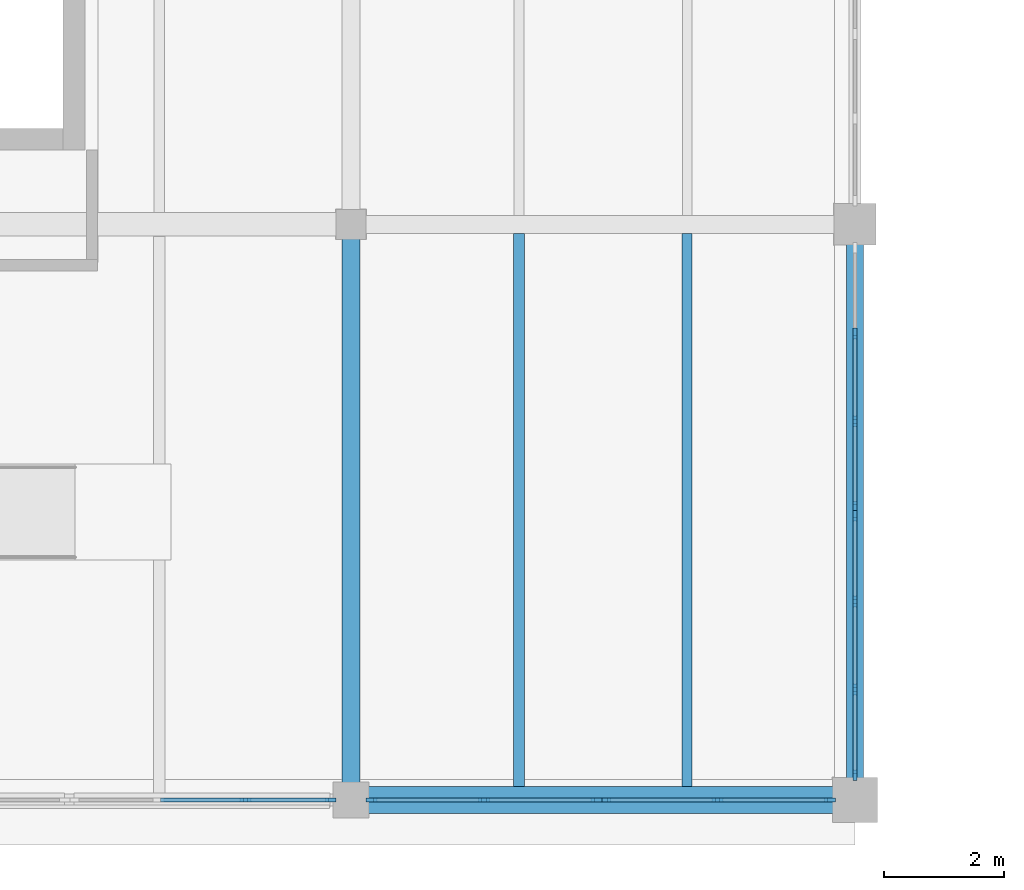
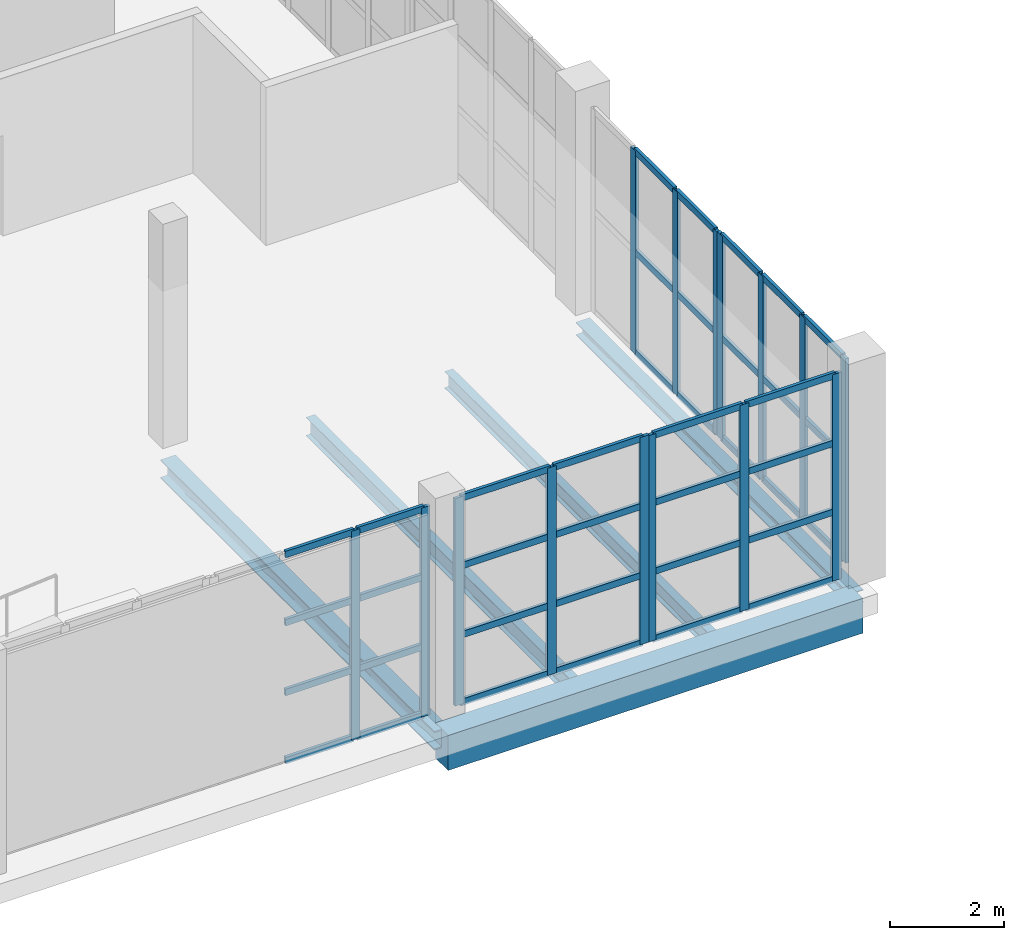
# One storey, part 8 of 121: 54 members, 5 beams, 5 elements without a shape of their own.
"""IFC4 building model written with IfcOpenShell, lengths in metres."""

from ifc_helpers import new_model, si_unit, direction, frame, origin, origin_2d, place, context, subcontext, project, spatial, rectangle, i_section, extrude, material, layer, layer_set, material_profile, profile_set, type_object, element, aggregate, save


model = new_model("IFC4")

# Units and contexts
model_context = context("Model", 3, precision=1e-05, world=origin(), true_north=direction((0.0, 1.0)))
body_context = subcontext(model_context, "Body", "Model", "MODEL_VIEW")
ifc_project = project(units=[si_unit("LENGTHUNIT", "METRE"), si_unit("AREAUNIT", "SQUARE_METRE"), si_unit("VOLUMEUNIT", "CUBIC_METRE"), si_unit("PLANEANGLEUNIT", "RADIAN"), si_unit("MASSUNIT", "GRAM", prefix="KILO")], contexts=[model_context])

# Site, building, storey
site_placement = place(None, origin())
site = spatial("IfcSite", under=ifc_project, at=site_placement, CompositionType="ELEMENT")
building_placement = place(site_placement, origin())
building = spatial("IfcBuilding", under=site, at=building_placement, Name="Zereglee Splitstone Museum", CompositionType="ELEMENT")
storey_placement = place(building_placement, origin())
storey = spatial("IfcBuildingStorey", under=building, at=storey_placement, Name="L00", CompositionType="ELEMENT", Elevation=0.0)

# Curtain wall, members
ifc_material_1 = material(Name="Triple-glazed low-E argon glass and bronze-anodised aluminium", Category="aluminium")
ifc_layer_1 = layer(ifc_material_1, 0.179931640625)
ifc_layer_set_1 = layer_set([ifc_layer_1], Name="Triple-glazed low-E argon glass and bronze-anodised aluminium")
curtain_wall_type_1 = type_object("IfcCurtainWallType", Name="CW-0435-448", PredefinedType="USERDEFINED", material=ifc_layer_set_1)
curtain_wall_1_placement = place(storey_placement, origin())
curtain_wall_1 = element("IfcCurtainWall", 1, at=curtain_wall_1_placement, inside=storey, type_object=curtain_wall_type_1, Name="Glazed Curtain Wall CW-0435-448 (L00)", ObjectType="GLAZED CURTAIN WALL", PredefinedType="USERDEFINED")
ifc_material_2 = material(Name="Thermally broken bronze-anodised aluminium", Category="aluminium")
ifc_material_profile_1 = material_profile(ifc_material_2, rectangle(XDim=0.06494140625, YDim=0.179931640625, at=origin_2d()), Name="CW MULL 65x180")
ifc_profile_set_1 = profile_set([ifc_material_profile_1], Name="Thermally broken bronze-anodised aluminium")
member_type_1 = type_object("IfcMemberType", Name="CWM-01", PredefinedType="MULLION", material=ifc_profile_set_1)
member_1_placement = place(storey_placement, frame((37.84130859375, 0.0, 0.0), z_axis=(0.0, 0.0, 1.0), x_axis=(0.0, 1.0, 0.0)))
member_1 = element("IfcMember", 2, at=member_1_placement, type_object=member_type_1, Name="CW-0435-448 mullion 3", PredefinedType="MULLION", context=body_context, shape_type="SweptSolid", body=[
    extrude(rectangle(XDim=0.06494140625, YDim=0.179931640625, at=origin_2d()), origin(), (0.0, 0.0, 1.0), 4.47998046875),
])
member_2_placement = place(storey_placement, frame((39.259521484375, 0.0, 0.0), z_axis=(0.0, 0.0, 1.0), x_axis=(0.0, 1.0, 0.0)))
member_2 = element("IfcMember", 3, at=member_2_placement, type_object=member_type_1, Name="CW-0435-448 mullion 4", PredefinedType="MULLION", context=body_context, shape_type="SweptSolid", body=[
    extrude(rectangle(XDim=0.06494140625, YDim=0.179931640625, at=origin_2d()), origin(), (0.0, 0.0, 1.0), 4.47998046875),
])

ifc_layer_2 = layer(ifc_material_1, 0.179931640625)
ifc_layer_set_2 = layer_set([ifc_layer_2], Name="Triple-glazed low-E argon glass and bronze-anodised aluminium")
curtain_wall_type_2 = type_object("IfcCurtainWallType", Name="CW-0381-444", PredefinedType="USERDEFINED", material=ifc_layer_set_2)
curtain_wall_2_placement = place(storey_placement, origin())
curtain_wall_2 = element("IfcCurtainWall", 4, at=curtain_wall_2_placement, inside=storey, type_object=curtain_wall_type_2, Name="Glazed Curtain Wall CW-0381-444 (L00)", ObjectType="GLAZED CURTAIN WALL", PredefinedType="USERDEFINED")
member_3_placement = place(storey_placement, frame((39.9404296875, 0.0, 0.0), z_axis=(0.0, 0.0, 1.0), x_axis=(0.0, 1.0, 0.0)))
member_3 = element("IfcMember", 5, at=member_3_placement, type_object=member_type_1, Name="CW-0381-444 mullion 1", PredefinedType="MULLION", context=body_context, shape_type="SweptSolid", body=[
    extrude(rectangle(XDim=0.06494140625, YDim=0.179931640625, at=origin_2d()), origin(), (0.0, 0.0, 1.0), 4.43994140625),
])
member_4_placement = place(storey_placement, frame((41.815185546875, 0.0, 0.0), z_axis=(0.0, 0.0, 1.0), x_axis=(0.0, 1.0, 0.0)))
member_4 = element("IfcMember", 6, at=member_4_placement, type_object=member_type_1, Name="CW-0381-444 mullion 2", PredefinedType="MULLION", context=body_context, shape_type="SweptSolid", body=[
    extrude(rectangle(XDim=0.06494140625, YDim=0.179931640625, at=origin_2d()), origin(), (0.0, 0.0, 1.0), 4.43994140625),
])
member_5_placement = place(storey_placement, frame((43.68994140625, 0.0, 0.0), z_axis=(0.0, 0.0, 1.0), x_axis=(0.0, 1.0, 0.0)))
member_5 = element("IfcMember", 7, at=member_5_placement, type_object=member_type_1, Name="CW-0381-444 mullion 3", PredefinedType="MULLION", context=body_context, shape_type="SweptSolid", body=[
    extrude(rectangle(XDim=0.06494140625, YDim=0.179931640625, at=origin_2d()), origin(), (0.0, 0.0, 1.0), 4.43994140625),
])

ifc_layer_3 = layer(ifc_material_1, 0.179931640625)
ifc_layer_set_3 = layer_set([ifc_layer_3], Name="Triple-glazed low-E argon glass and bronze-anodised aluminium")
curtain_wall_type_3 = type_object("IfcCurtainWallType", Name="CW-0381-442", PredefinedType="USERDEFINED", material=ifc_layer_set_3)
curtain_wall_3_placement = place(storey_placement, origin())
curtain_wall_3 = element("IfcCurtainWall", 8, at=curtain_wall_3_placement, inside=storey, type_object=curtain_wall_type_3, Name="Glazed Curtain Wall CW-0381-442 (L00)", ObjectType="GLAZED CURTAIN WALL", PredefinedType="USERDEFINED")
member_6_placement = place(storey_placement, frame((43.8349609375, 0.0, 0.0), z_axis=(0.0, 0.0, 1.0), x_axis=(0.0, 1.0, 0.0)))
member_6 = element("IfcMember", 9, at=member_6_placement, type_object=member_type_1, Name="CW-0381-442 mullion 1", PredefinedType="MULLION", context=body_context, shape_type="SweptSolid", body=[
    extrude(rectangle(XDim=0.06494140625, YDim=0.179931640625, at=origin_2d()), origin(), (0.0, 0.0, 1.0), 4.419921875),
])
member_7_placement = place(storey_placement, frame((45.709716796875, 0.0, 0.0), z_axis=(0.0, 0.0, 1.0), x_axis=(0.0, 1.0, 0.0)))
member_7 = element("IfcMember", 10, at=member_7_placement, type_object=member_type_1, Name="CW-0381-442 mullion 2", PredefinedType="MULLION", context=body_context, shape_type="SweptSolid", body=[
    extrude(rectangle(XDim=0.06494140625, YDim=0.179931640625, at=origin_2d()), origin(), (0.0, 0.0, 1.0), 4.419921875),
])
member_8_placement = place(storey_placement, frame((47.58447265625, 0.0, 0.0), z_axis=(0.0, 0.0, 1.0), x_axis=(0.0, 1.0, 0.0)))
member_8 = element("IfcMember", 11, at=member_8_placement, type_object=member_type_1, Name="CW-0381-442 mullion 3", PredefinedType="MULLION", context=body_context, shape_type="SweptSolid", body=[
    extrude(rectangle(XDim=0.06494140625, YDim=0.179931640625, at=origin_2d()), origin(), (0.0, 0.0, 1.0), 4.419921875),
])

ifc_layer_4 = layer(ifc_material_1, 0.179931640625)
ifc_layer_set_4 = layer_set([ifc_layer_4], Name="Triple-glazed low-E argon glass and bronze-anodised aluminium")
curtain_wall_type_4 = type_object("IfcCurtainWallType", Name="CW-0439-438", PredefinedType="USERDEFINED", material=ifc_layer_set_4)
curtain_wall_4_placement = place(storey_placement, origin())
curtain_wall_4 = element("IfcCurtainWall", 12, at=curtain_wall_4_placement, inside=storey, type_object=curtain_wall_type_4, Name="Glazed Curtain Wall CW-0439-438 (L00)", ObjectType="GLAZED CURTAIN WALL", PredefinedType="USERDEFINED")
member_9_placement = place(storey_placement, frame((48.0, 0.41552734375, 0.0), z_axis=(0.0, 0.0, 1.0), x_axis=(-1.0, 0.0, 0.0)))
member_9 = element("IfcMember", 13, at=member_9_placement, type_object=member_type_1, Name="CW-0439-438 mullion 1", PredefinedType="MULLION", context=body_context, shape_type="SweptSolid", body=[
    extrude(rectangle(XDim=0.06494140625, YDim=0.179931640625, at=origin_2d()), origin(), (0.0, 0.0, 1.0), 4.3798828125),
])
member_10_placement = place(storey_placement, frame((48.0, 1.84619140625, 0.0), z_axis=(0.0, 0.0, 1.0), x_axis=(-1.0, 0.0, 0.0)))
member_10 = element("IfcMember", 14, at=member_10_placement, type_object=member_type_1, Name="CW-0439-438 mullion 2", PredefinedType="MULLION", context=body_context, shape_type="SweptSolid", body=[
    extrude(rectangle(XDim=0.06494140625, YDim=0.179931640625, at=origin_2d()), origin(), (0.0, 0.0, 1.0), 4.3798828125),
])
member_11_placement = place(storey_placement, frame((48.0, 3.309326171875, 0.0), z_axis=(0.0, 0.0, 1.0), x_axis=(-1.0, 0.0, 0.0)))
member_11 = element("IfcMember", 15, at=member_11_placement, type_object=member_type_1, Name="CW-0439-438 mullion 3", PredefinedType="MULLION", context=body_context, shape_type="SweptSolid", body=[
    extrude(rectangle(XDim=0.06494140625, YDim=0.179931640625, at=origin_2d()), origin(), (0.0, 0.0, 1.0), 4.3798828125),
])
member_12_placement = place(storey_placement, frame((48.0, 4.739990234375, 0.0), z_axis=(0.0, 0.0, 1.0), x_axis=(-1.0, 0.0, 0.0)))
member_12 = element("IfcMember", 16, at=member_12_placement, type_object=member_type_1, Name="CW-0439-438 mullion 4", PredefinedType="MULLION", context=body_context, shape_type="SweptSolid", body=[
    extrude(rectangle(XDim=0.06494140625, YDim=0.179931640625, at=origin_2d()), origin(), (0.0, 0.0, 1.0), 4.3798828125),
])

ifc_layer_5 = layer(ifc_material_1, 0.179931640625)
ifc_layer_set_5 = layer_set([ifc_layer_5], Name="Triple-glazed low-E argon glass and bronze-anodised aluminium")
curtain_wall_type_5 = type_object("IfcCurtainWallType", Name="CW-0439-436", PredefinedType="USERDEFINED", material=ifc_layer_set_5)
curtain_wall_5_placement = place(storey_placement, origin())
curtain_wall_5 = element("IfcCurtainWall", 17, at=curtain_wall_5_placement, inside=storey, type_object=curtain_wall_type_5, Name="Glazed Curtain Wall CW-0439-436 (L00)", ObjectType="GLAZED CURTAIN WALL", PredefinedType="USERDEFINED")
member_13_placement = place(storey_placement, frame((48.0, 4.885009765625, 0.0), z_axis=(0.0, 0.0, 1.0), x_axis=(-1.0, 0.0, 0.0)))
member_13 = element("IfcMember", 18, at=member_13_placement, type_object=member_type_1, Name="CW-0439-436 mullion 1", PredefinedType="MULLION", context=body_context, shape_type="SweptSolid", body=[
    extrude(rectangle(XDim=0.06494140625, YDim=0.179931640625, at=origin_2d()), origin(), (0.0, 0.0, 1.0), 4.360107421875),
])
member_14_placement = place(storey_placement, frame((48.0, 6.315673828125, 0.0), z_axis=(0.0, 0.0, 1.0), x_axis=(-1.0, 0.0, 0.0)))
member_14 = element("IfcMember", 19, at=member_14_placement, type_object=member_type_1, Name="CW-0439-436 mullion 2", PredefinedType="MULLION", context=body_context, shape_type="SweptSolid", body=[
    extrude(rectangle(XDim=0.06494140625, YDim=0.179931640625, at=origin_2d()), origin(), (0.0, 0.0, 1.0), 4.360107421875),
])
member_15_placement = place(storey_placement, frame((48.0, 7.77880859375, 0.0), z_axis=(0.0, 0.0, 1.0), x_axis=(-1.0, 0.0, 0.0)))
member_15 = element("IfcMember", 20, at=member_15_placement, type_object=member_type_1, Name="CW-0439-436 mullion 3", PredefinedType="MULLION", context=body_context, shape_type="SweptSolid", body=[
    extrude(rectangle(XDim=0.06494140625, YDim=0.179931640625, at=origin_2d()), origin(), (0.0, 0.0, 1.0), 4.360107421875),
])

# Member
ifc_material_profile_2 = material_profile(ifc_material_2, rectangle(XDim=0.06494140625, YDim=0.139892578125, at=origin_2d()), Name="CW TRAN 65x140")
ifc_profile_set_2 = profile_set([ifc_material_profile_2], Name="Thermally broken bronze-anodised aluminium")
member_type_2 = type_object("IfcMemberType", Name="CWT-01", PredefinedType="USERDEFINED", material=ifc_profile_set_2)
member_16_placement = place(storey_placement, frame((36.423095703125, 0.0, 0.032470703125), z_axis=(1.0, 0.0, 0.0), x_axis=(0.0, 1.0, 0.0)))
member_16 = element("IfcMember", 21, at=member_16_placement, type_object=member_type_2, Name="CW-0435-448 transom 2.1", ObjectType="TRANSOM", PredefinedType="USERDEFINED", context=body_context, shape_type="SweptSolid", body=[
    extrude(rectangle(XDim=0.06494140625, YDim=0.139892578125, at=origin_2d()), origin(), (0.0, 0.0, 1.0), 1.3857421875),
])

member_17_placement = place(storey_placement, frame((36.423095703125, 0.0, 1.493408203125), z_axis=(1.0, 0.0, 0.0), x_axis=(0.0, 1.0, 0.0)))
member_17 = element("IfcMember", 22, at=member_17_placement, type_object=member_type_2, Name="CW-0435-448 transom 2.2", ObjectType="TRANSOM", PredefinedType="USERDEFINED", context=body_context, shape_type="SweptSolid", body=[
    extrude(rectangle(XDim=0.06494140625, YDim=0.139892578125, at=origin_2d()), origin(), (0.0, 0.0, 1.0), 1.3857421875),
])

member_18_placement = place(storey_placement, frame((36.423095703125, 0.0, 2.98681640625), z_axis=(1.0, 0.0, 0.0), x_axis=(0.0, 1.0, 0.0)))
member_18 = element("IfcMember", 23, at=member_18_placement, type_object=member_type_2, Name="CW-0435-448 transom 2.3", ObjectType="TRANSOM", PredefinedType="USERDEFINED", context=body_context, shape_type="SweptSolid", body=[
    extrude(rectangle(XDim=0.06494140625, YDim=0.139892578125, at=origin_2d()), origin(), (0.0, 0.0, 1.0), 1.3857421875),
])

member_19_placement = place(storey_placement, frame((36.423095703125, 0.0, 4.447509765625), z_axis=(1.0, 0.0, 0.0), x_axis=(0.0, 1.0, 0.0)))
member_19 = element("IfcMember", 24, at=member_19_placement, type_object=member_type_2, Name="CW-0435-448 transom 2.4", ObjectType="TRANSOM", PredefinedType="USERDEFINED", context=body_context, shape_type="SweptSolid", body=[
    extrude(rectangle(XDim=0.06494140625, YDim=0.139892578125, at=origin_2d()), origin(), (0.0, 0.0, 1.0), 1.3857421875),
])

member_20_placement = place(storey_placement, frame((37.873779296875, 0.0, 0.032470703125), z_axis=(1.0, 0.0, 0.0), x_axis=(0.0, 1.0, 0.0)))
member_20 = element("IfcMember", 25, at=member_20_placement, type_object=member_type_2, Name="CW-0435-448 transom 3.1", ObjectType="TRANSOM", PredefinedType="USERDEFINED", context=body_context, shape_type="SweptSolid", body=[
    extrude(rectangle(XDim=0.06494140625, YDim=0.139892578125, at=origin_2d()), origin(), (0.0, 0.0, 1.0), 1.353271484375),
])

member_21_placement = place(storey_placement, frame((37.873779296875, 0.0, 1.493408203125), z_axis=(1.0, 0.0, 0.0), x_axis=(0.0, 1.0, 0.0)))
member_21 = element("IfcMember", 26, at=member_21_placement, type_object=member_type_2, Name="CW-0435-448 transom 3.2", ObjectType="TRANSOM", PredefinedType="USERDEFINED", context=body_context, shape_type="SweptSolid", body=[
    extrude(rectangle(XDim=0.06494140625, YDim=0.139892578125, at=origin_2d()), origin(), (0.0, 0.0, 1.0), 1.353271484375),
])

member_22_placement = place(storey_placement, frame((37.873779296875, 0.0, 2.98681640625), z_axis=(1.0, 0.0, 0.0), x_axis=(0.0, 1.0, 0.0)))
member_22 = element("IfcMember", 27, at=member_22_placement, type_object=member_type_2, Name="CW-0435-448 transom 3.3", ObjectType="TRANSOM", PredefinedType="USERDEFINED", context=body_context, shape_type="SweptSolid", body=[
    extrude(rectangle(XDim=0.06494140625, YDim=0.139892578125, at=origin_2d()), origin(), (0.0, 0.0, 1.0), 1.353271484375),
])

member_23_placement = place(storey_placement, frame((37.873779296875, 0.0, 4.447509765625), z_axis=(1.0, 0.0, 0.0), x_axis=(0.0, 1.0, 0.0)))
member_23 = element("IfcMember", 28, at=member_23_placement, type_object=member_type_2, Name="CW-0435-448 transom 3.4", ObjectType="TRANSOM", PredefinedType="USERDEFINED", context=body_context, shape_type="SweptSolid", body=[
    extrude(rectangle(XDim=0.06494140625, YDim=0.139892578125, at=origin_2d()), origin(), (0.0, 0.0, 1.0), 1.353271484375),
])

aggregate(curtain_wall_1, [member_1, member_2, member_16, member_17, member_18, member_19, member_20, member_21, member_22, member_23])

member_24_placement = place(storey_placement, frame((39.972900390625, 0.0, 0.032470703125), z_axis=(1.0, 0.0, 0.0), x_axis=(0.0, 1.0, 0.0)))
member_24 = element("IfcMember", 29, at=member_24_placement, type_object=member_type_2, Name="CW-0381-444 transom 1.1", ObjectType="TRANSOM", PredefinedType="USERDEFINED", context=body_context, shape_type="SweptSolid", body=[
    extrude(rectangle(XDim=0.06494140625, YDim=0.139892578125, at=origin_2d()), origin(), (0.0, 0.0, 1.0), 1.809814453125),
])

member_25_placement = place(storey_placement, frame((39.972900390625, 0.0, 1.47998046875), z_axis=(1.0, 0.0, 0.0), x_axis=(0.0, 1.0, 0.0)))
member_25 = element("IfcMember", 30, at=member_25_placement, type_object=member_type_2, Name="CW-0381-444 transom 1.2", ObjectType="TRANSOM", PredefinedType="USERDEFINED", context=body_context, shape_type="SweptSolid", body=[
    extrude(rectangle(XDim=0.06494140625, YDim=0.139892578125, at=origin_2d()), origin(), (0.0, 0.0, 1.0), 1.809814453125),
])

member_26_placement = place(storey_placement, frame((39.972900390625, 0.0, 2.9599609375), z_axis=(1.0, 0.0, 0.0), x_axis=(0.0, 1.0, 0.0)))
member_26 = element("IfcMember", 31, at=member_26_placement, type_object=member_type_2, Name="CW-0381-444 transom 1.3", ObjectType="TRANSOM", PredefinedType="USERDEFINED", context=body_context, shape_type="SweptSolid", body=[
    extrude(rectangle(XDim=0.06494140625, YDim=0.139892578125, at=origin_2d()), origin(), (0.0, 0.0, 1.0), 1.809814453125),
])

member_27_placement = place(storey_placement, frame((39.972900390625, 0.0, 4.407470703125), z_axis=(1.0, 0.0, 0.0), x_axis=(0.0, 1.0, 0.0)))
member_27 = element("IfcMember", 32, at=member_27_placement, type_object=member_type_2, Name="CW-0381-444 transom 1.4", ObjectType="TRANSOM", PredefinedType="USERDEFINED", context=body_context, shape_type="SweptSolid", body=[
    extrude(rectangle(XDim=0.06494140625, YDim=0.139892578125, at=origin_2d()), origin(), (0.0, 0.0, 1.0), 1.809814453125),
])

member_28_placement = place(storey_placement, frame((41.84765625, 0.0, 0.032470703125), z_axis=(1.0, 0.0, 0.0), x_axis=(0.0, 1.0, 0.0)))
member_28 = element("IfcMember", 33, at=member_28_placement, type_object=member_type_2, Name="CW-0381-444 transom 2.1", ObjectType="TRANSOM", PredefinedType="USERDEFINED", context=body_context, shape_type="SweptSolid", body=[
    extrude(rectangle(XDim=0.06494140625, YDim=0.139892578125, at=origin_2d()), origin(), (0.0, 0.0, 1.0), 1.809814453125),
])

member_29_placement = place(storey_placement, frame((41.84765625, 0.0, 1.47998046875), z_axis=(1.0, 0.0, 0.0), x_axis=(0.0, 1.0, 0.0)))
member_29 = element("IfcMember", 34, at=member_29_placement, type_object=member_type_2, Name="CW-0381-444 transom 2.2", ObjectType="TRANSOM", PredefinedType="USERDEFINED", context=body_context, shape_type="SweptSolid", body=[
    extrude(rectangle(XDim=0.06494140625, YDim=0.139892578125, at=origin_2d()), origin(), (0.0, 0.0, 1.0), 1.809814453125),
])

member_30_placement = place(storey_placement, frame((41.84765625, 0.0, 2.9599609375), z_axis=(1.0, 0.0, 0.0), x_axis=(0.0, 1.0, 0.0)))
member_30 = element("IfcMember", 35, at=member_30_placement, type_object=member_type_2, Name="CW-0381-444 transom 2.3", ObjectType="TRANSOM", PredefinedType="USERDEFINED", context=body_context, shape_type="SweptSolid", body=[
    extrude(rectangle(XDim=0.06494140625, YDim=0.139892578125, at=origin_2d()), origin(), (0.0, 0.0, 1.0), 1.809814453125),
])

member_31_placement = place(storey_placement, frame((41.84765625, 0.0, 4.407470703125), z_axis=(1.0, 0.0, 0.0), x_axis=(0.0, 1.0, 0.0)))
member_31 = element("IfcMember", 36, at=member_31_placement, type_object=member_type_2, Name="CW-0381-444 transom 2.4", ObjectType="TRANSOM", PredefinedType="USERDEFINED", context=body_context, shape_type="SweptSolid", body=[
    extrude(rectangle(XDim=0.06494140625, YDim=0.139892578125, at=origin_2d()), origin(), (0.0, 0.0, 1.0), 1.809814453125),
])

aggregate(curtain_wall_2, [member_3, member_4, member_5, member_24, member_25, member_26, member_27, member_28, member_29, member_30, member_31])

member_32_placement = place(storey_placement, frame((43.867431640625, 0.0, 0.032470703125), z_axis=(1.0, 0.0, 0.0), x_axis=(0.0, 1.0, 0.0)))
member_32 = element("IfcMember", 37, at=member_32_placement, type_object=member_type_2, Name="CW-0381-442 transom 1.1", ObjectType="TRANSOM", PredefinedType="USERDEFINED", context=body_context, shape_type="SweptSolid", body=[
    extrude(rectangle(XDim=0.06494140625, YDim=0.139892578125, at=origin_2d()), origin(), (0.0, 0.0, 1.0), 1.809814453125),
])

member_33_placement = place(storey_placement, frame((43.867431640625, 0.0, 1.473388671875), z_axis=(1.0, 0.0, 0.0), x_axis=(0.0, 1.0, 0.0)))
member_33 = element("IfcMember", 38, at=member_33_placement, type_object=member_type_2, Name="CW-0381-442 transom 1.2", ObjectType="TRANSOM", PredefinedType="USERDEFINED", context=body_context, shape_type="SweptSolid", body=[
    extrude(rectangle(XDim=0.06494140625, YDim=0.139892578125, at=origin_2d()), origin(), (0.0, 0.0, 1.0), 1.809814453125),
])

member_34_placement = place(storey_placement, frame((43.867431640625, 0.0, 2.94677734375), z_axis=(1.0, 0.0, 0.0), x_axis=(0.0, 1.0, 0.0)))
member_34 = element("IfcMember", 39, at=member_34_placement, type_object=member_type_2, Name="CW-0381-442 transom 1.3", ObjectType="TRANSOM", PredefinedType="USERDEFINED", context=body_context, shape_type="SweptSolid", body=[
    extrude(rectangle(XDim=0.06494140625, YDim=0.139892578125, at=origin_2d()), origin(), (0.0, 0.0, 1.0), 1.809814453125),
])

member_35_placement = place(storey_placement, frame((43.867431640625, 0.0, 4.387451171875), z_axis=(1.0, 0.0, 0.0), x_axis=(0.0, 1.0, 0.0)))
member_35 = element("IfcMember", 40, at=member_35_placement, type_object=member_type_2, Name="CW-0381-442 transom 1.4", ObjectType="TRANSOM", PredefinedType="USERDEFINED", context=body_context, shape_type="SweptSolid", body=[
    extrude(rectangle(XDim=0.06494140625, YDim=0.139892578125, at=origin_2d()), origin(), (0.0, 0.0, 1.0), 1.809814453125),
])

member_36_placement = place(storey_placement, frame((45.7421875, 0.0, 0.032470703125), z_axis=(1.0, 0.0, 0.0), x_axis=(0.0, 1.0, 0.0)))
member_36 = element("IfcMember", 41, at=member_36_placement, type_object=member_type_2, Name="CW-0381-442 transom 2.1", ObjectType="TRANSOM", PredefinedType="USERDEFINED", context=body_context, shape_type="SweptSolid", body=[
    extrude(rectangle(XDim=0.06494140625, YDim=0.139892578125, at=origin_2d()), origin(), (0.0, 0.0, 1.0), 1.809814453125),
])

member_37_placement = place(storey_placement, frame((45.7421875, 0.0, 1.473388671875), z_axis=(1.0, 0.0, 0.0), x_axis=(0.0, 1.0, 0.0)))
member_37 = element("IfcMember", 42, at=member_37_placement, type_object=member_type_2, Name="CW-0381-442 transom 2.2", ObjectType="TRANSOM", PredefinedType="USERDEFINED", context=body_context, shape_type="SweptSolid", body=[
    extrude(rectangle(XDim=0.06494140625, YDim=0.139892578125, at=origin_2d()), origin(), (0.0, 0.0, 1.0), 1.809814453125),
])

member_38_placement = place(storey_placement, frame((45.7421875, 0.0, 2.94677734375), z_axis=(1.0, 0.0, 0.0), x_axis=(0.0, 1.0, 0.0)))
member_38 = element("IfcMember", 43, at=member_38_placement, type_object=member_type_2, Name="CW-0381-442 transom 2.3", ObjectType="TRANSOM", PredefinedType="USERDEFINED", context=body_context, shape_type="SweptSolid", body=[
    extrude(rectangle(XDim=0.06494140625, YDim=0.139892578125, at=origin_2d()), origin(), (0.0, 0.0, 1.0), 1.809814453125),
])

member_39_placement = place(storey_placement, frame((45.7421875, 0.0, 4.387451171875), z_axis=(1.0, 0.0, 0.0), x_axis=(0.0, 1.0, 0.0)))
member_39 = element("IfcMember", 44, at=member_39_placement, type_object=member_type_2, Name="CW-0381-442 transom 2.4", ObjectType="TRANSOM", PredefinedType="USERDEFINED", context=body_context, shape_type="SweptSolid", body=[
    extrude(rectangle(XDim=0.06494140625, YDim=0.139892578125, at=origin_2d()), origin(), (0.0, 0.0, 1.0), 1.809814453125),
])

aggregate(curtain_wall_3, [member_6, member_7, member_8, member_32, member_33, member_34, member_35, member_36, member_37, member_38, member_39])

member_40_placement = place(storey_placement, frame((48.0, 0.447998046875, 0.032470703125), z_axis=(0.0, 1.0, 0.0), x_axis=(-1.0, 0.0, 0.0)))
member_40 = element("IfcMember", 45, at=member_40_placement, type_object=member_type_2, Name="CW-0439-438 transom 1.1", ObjectType="TRANSOM", PredefinedType="USERDEFINED", context=body_context, shape_type="SweptSolid", body=[
    extrude(rectangle(XDim=0.06494140625, YDim=0.139892578125, at=origin_2d()), origin(), (0.0, 0.0, 1.0), 1.36572265625),
])

member_41_placement = place(storey_placement, frame((48.0, 0.447998046875, 2.18994140625), z_axis=(0.0, 1.0, 0.0), x_axis=(-1.0, 0.0, 0.0)))
member_41 = element("IfcMember", 46, at=member_41_placement, type_object=member_type_2, Name="CW-0439-438 transom 1.2", ObjectType="TRANSOM", PredefinedType="USERDEFINED", context=body_context, shape_type="SweptSolid", body=[
    extrude(rectangle(XDim=0.06494140625, YDim=0.139892578125, at=origin_2d()), origin(), (0.0, 0.0, 1.0), 1.36572265625),
])

member_42_placement = place(storey_placement, frame((48.0, 0.447998046875, 4.347412109375), z_axis=(0.0, 1.0, 0.0), x_axis=(-1.0, 0.0, 0.0)))
member_42 = element("IfcMember", 47, at=member_42_placement, type_object=member_type_2, Name="CW-0439-438 transom 1.3", ObjectType="TRANSOM", PredefinedType="USERDEFINED", context=body_context, shape_type="SweptSolid", body=[
    extrude(rectangle(XDim=0.06494140625, YDim=0.139892578125, at=origin_2d()), origin(), (0.0, 0.0, 1.0), 1.36572265625),
])

member_43_placement = place(storey_placement, frame((48.0, 1.878662109375, 0.032470703125), z_axis=(0.0, 1.0, 0.0), x_axis=(-1.0, 0.0, 0.0)))
member_43 = element("IfcMember", 48, at=member_43_placement, type_object=member_type_2, Name="CW-0439-438 transom 2.1", ObjectType="TRANSOM", PredefinedType="USERDEFINED", context=body_context, shape_type="SweptSolid", body=[
    extrude(rectangle(XDim=0.06494140625, YDim=0.139892578125, at=origin_2d()), origin(), (0.0, 0.0, 1.0), 1.398193359375),
])

member_44_placement = place(storey_placement, frame((48.0, 1.878662109375, 2.18994140625), z_axis=(0.0, 1.0, 0.0), x_axis=(-1.0, 0.0, 0.0)))
member_44 = element("IfcMember", 49, at=member_44_placement, type_object=member_type_2, Name="CW-0439-438 transom 2.2", ObjectType="TRANSOM", PredefinedType="USERDEFINED", context=body_context, shape_type="SweptSolid", body=[
    extrude(rectangle(XDim=0.06494140625, YDim=0.139892578125, at=origin_2d()), origin(), (0.0, 0.0, 1.0), 1.398193359375),
])

member_45_placement = place(storey_placement, frame((48.0, 1.878662109375, 4.347412109375), z_axis=(0.0, 1.0, 0.0), x_axis=(-1.0, 0.0, 0.0)))
member_45 = element("IfcMember", 50, at=member_45_placement, type_object=member_type_2, Name="CW-0439-438 transom 2.3", ObjectType="TRANSOM", PredefinedType="USERDEFINED", context=body_context, shape_type="SweptSolid", body=[
    extrude(rectangle(XDim=0.06494140625, YDim=0.139892578125, at=origin_2d()), origin(), (0.0, 0.0, 1.0), 1.398193359375),
])

member_46_placement = place(storey_placement, frame((48.0, 3.341796875, 0.032470703125), z_axis=(0.0, 1.0, 0.0), x_axis=(-1.0, 0.0, 0.0)))
member_46 = element("IfcMember", 51, at=member_46_placement, type_object=member_type_2, Name="CW-0439-438 transom 3.1", ObjectType="TRANSOM", PredefinedType="USERDEFINED", context=body_context, shape_type="SweptSolid", body=[
    extrude(rectangle(XDim=0.06494140625, YDim=0.139892578125, at=origin_2d()), origin(), (0.0, 0.0, 1.0), 1.36572265625),
])

member_47_placement = place(storey_placement, frame((48.0, 3.341796875, 2.18994140625), z_axis=(0.0, 1.0, 0.0), x_axis=(-1.0, 0.0, 0.0)))
member_47 = element("IfcMember", 52, at=member_47_placement, type_object=member_type_2, Name="CW-0439-438 transom 3.2", ObjectType="TRANSOM", PredefinedType="USERDEFINED", context=body_context, shape_type="SweptSolid", body=[
    extrude(rectangle(XDim=0.06494140625, YDim=0.139892578125, at=origin_2d()), origin(), (0.0, 0.0, 1.0), 1.36572265625),
])

member_48_placement = place(storey_placement, frame((48.0, 3.341796875, 4.347412109375), z_axis=(0.0, 1.0, 0.0), x_axis=(-1.0, 0.0, 0.0)))
member_48 = element("IfcMember", 53, at=member_48_placement, type_object=member_type_2, Name="CW-0439-438 transom 3.3", ObjectType="TRANSOM", PredefinedType="USERDEFINED", context=body_context, shape_type="SweptSolid", body=[
    extrude(rectangle(XDim=0.06494140625, YDim=0.139892578125, at=origin_2d()), origin(), (0.0, 0.0, 1.0), 1.36572265625),
])

aggregate(curtain_wall_4, [member_9, member_10, member_11, member_12, member_40, member_41, member_42, member_43, member_44, member_45, member_46, member_47, member_48])

member_49_placement = place(storey_placement, frame((48.0, 4.91748046875, 0.032470703125), z_axis=(0.0, 1.0, 0.0), x_axis=(-1.0, 0.0, 0.0)))
member_49 = element("IfcMember", 54, at=member_49_placement, type_object=member_type_2, Name="CW-0439-436 transom 1.1", ObjectType="TRANSOM", PredefinedType="USERDEFINED", context=body_context, shape_type="SweptSolid", body=[
    extrude(rectangle(XDim=0.06494140625, YDim=0.139892578125, at=origin_2d()), origin(), (0.0, 0.0, 1.0), 1.36572265625),
])

member_50_placement = place(storey_placement, frame((48.0, 4.91748046875, 2.179931640625), z_axis=(0.0, 1.0, 0.0), x_axis=(-1.0, 0.0, 0.0)))
member_50 = element("IfcMember", 55, at=member_50_placement, type_object=member_type_2, Name="CW-0439-436 transom 1.2", ObjectType="TRANSOM", PredefinedType="USERDEFINED", context=body_context, shape_type="SweptSolid", body=[
    extrude(rectangle(XDim=0.06494140625, YDim=0.139892578125, at=origin_2d()), origin(), (0.0, 0.0, 1.0), 1.36572265625),
])

member_51_placement = place(storey_placement, frame((48.0, 4.91748046875, 4.327392578125), z_axis=(0.0, 1.0, 0.0), x_axis=(-1.0, 0.0, 0.0)))
member_51 = element("IfcMember", 56, at=member_51_placement, type_object=member_type_2, Name="CW-0439-436 transom 1.3", ObjectType="TRANSOM", PredefinedType="USERDEFINED", context=body_context, shape_type="SweptSolid", body=[
    extrude(rectangle(XDim=0.06494140625, YDim=0.139892578125, at=origin_2d()), origin(), (0.0, 0.0, 1.0), 1.36572265625),
])

member_52_placement = place(storey_placement, frame((48.0, 6.34814453125, 0.032470703125), z_axis=(0.0, 1.0, 0.0), x_axis=(-1.0, 0.0, 0.0)))
member_52 = element("IfcMember", 57, at=member_52_placement, type_object=member_type_2, Name="CW-0439-436 transom 2.1", ObjectType="TRANSOM", PredefinedType="USERDEFINED", context=body_context, shape_type="SweptSolid", body=[
    extrude(rectangle(XDim=0.06494140625, YDim=0.139892578125, at=origin_2d()), origin(), (0.0, 0.0, 1.0), 1.398193359375),
])

member_53_placement = place(storey_placement, frame((48.0, 6.34814453125, 2.179931640625), z_axis=(0.0, 1.0, 0.0), x_axis=(-1.0, 0.0, 0.0)))
member_53 = element("IfcMember", 58, at=member_53_placement, type_object=member_type_2, Name="CW-0439-436 transom 2.2", ObjectType="TRANSOM", PredefinedType="USERDEFINED", context=body_context, shape_type="SweptSolid", body=[
    extrude(rectangle(XDim=0.06494140625, YDim=0.139892578125, at=origin_2d()), origin(), (0.0, 0.0, 1.0), 1.398193359375),
])

member_54_placement = place(storey_placement, frame((48.0, 6.34814453125, 4.327392578125), z_axis=(0.0, 1.0, 0.0), x_axis=(-1.0, 0.0, 0.0)))
member_54 = element("IfcMember", 59, at=member_54_placement, type_object=member_type_2, Name="CW-0439-436 transom 2.3", ObjectType="TRANSOM", PredefinedType="USERDEFINED", context=body_context, shape_type="SweptSolid", body=[
    extrude(rectangle(XDim=0.06494140625, YDim=0.139892578125, at=origin_2d()), origin(), (0.0, 0.0, 1.0), 1.398193359375),
])

aggregate(curtain_wall_5, [member_13, member_14, member_15, member_49, member_50, member_51, member_52, member_53, member_54])

# Beams
ifc_material_3 = material(Name="Steel S355J2", Category="steel")
ifc_material_profile_3 = material_profile(ifc_material_3, i_section(OverallWidth=0.300048828125, OverallDepth=0.39990234375, WebThickness=0.013427734375, FlangeThickness=0.02392578125, FilletRadius=0.027099609375, at=origin_2d()), Name="HE 400 B")
ifc_profile_set_3 = profile_set([ifc_material_profile_3], Name="Steel S355J2")
beam_type_1 = type_object("IfcBeamType", Name="BG-13", PredefinedType="BEAM", material=ifc_profile_set_3)
beam_1_placement = place(storey_placement, frame((39.60009765625, 0.0, -0.6201171875), z_axis=(0.0, 1.0, 0.0), x_axis=(-1.0, 0.0, 0.0)))
element("IfcBeam", 60, at=beam_1_placement, inside=storey, type_object=beam_type_1, Name="Primary Girder L00 6 (0.0-9.6)", PredefinedType="BEAM", context=body_context, shape_type="SweptSolid", body=[
    extrude(i_section(OverallWidth=0.300048828125, OverallDepth=0.39990234375, WebThickness=0.013427734375, FlangeThickness=0.02392578125, FilletRadius=0.027099609375, at=origin_2d()), origin(), (0.0, 0.0, 1.0), 9.60009765625),
])
ifc_material_profile_4 = material_profile(ifc_material_3, i_section(OverallWidth=0.169921875, OverallDepth=0.360107421875, WebThickness=0.008056640625, FlangeThickness=0.0126953125, FilletRadius=0.01806640625, at=origin_2d()), Name="IPE 360")
ifc_profile_set_4 = profile_set([ifc_material_profile_4], Name="Steel S355J2")
beam_type_2 = type_object("IfcBeamType", Name="BJ-04", PredefinedType="JOIST", material=ifc_profile_set_4)
beam_2_placement = place(storey_placement, frame((45.199951171875, 0.22509765625, -0.60009765625), z_axis=(0.0, 1.0, 0.0), x_axis=(-1.0, 0.0, 0.0)))
element("IfcBeam", 61, at=beam_2_placement, inside=storey, type_object=beam_type_2, Name="Secondary Floor Joist L00-0262", PredefinedType="JOIST", context=body_context, shape_type="SweptSolid", body=[
    extrude(i_section(OverallWidth=0.169921875, OverallDepth=0.360107421875, WebThickness=0.008056640625, FlangeThickness=0.0126953125, FilletRadius=0.01806640625, at=origin_2d()), origin(), (0.0, 0.0, 1.0), 9.224853515625),
])
ifc_material_profile_5 = material_profile(ifc_material_3, i_section(OverallWidth=0.179931640625, OverallDepth=0.39990234375, WebThickness=0.008544921875, FlangeThickness=0.013427734375, FilletRadius=0.02099609375, at=origin_2d()), Name="IPE 400")
ifc_profile_set_5 = profile_set([ifc_material_profile_5], Name="Steel S355J2")
beam_type_3 = type_object("IfcBeamType", Name="BJ-03", PredefinedType="JOIST", material=ifc_profile_set_5)
beam_3_placement = place(storey_placement, frame((42.39990234375, 0.22509765625, -0.6201171875), z_axis=(0.0, 1.0, 0.0), x_axis=(-1.0, 0.0, 0.0)))
element("IfcBeam", 62, at=beam_3_placement, inside=storey, type_object=beam_type_3, Name="Secondary Floor Joist L00-0261", PredefinedType="JOIST", context=body_context, shape_type="SweptSolid", body=[
    extrude(i_section(OverallWidth=0.179931640625, OverallDepth=0.39990234375, WebThickness=0.008544921875, FlangeThickness=0.013427734375, FilletRadius=0.02099609375, at=origin_2d()), origin(), (0.0, 0.0, 1.0), 9.224853515625),
])
ifc_material_profile_6 = material_profile(ifc_material_3, i_section(OverallWidth=0.280029296875, OverallDepth=0.280029296875, WebThickness=0.010498046875, FlangeThickness=0.01806640625, FilletRadius=0.02392578125, at=origin_2d()), Name="HE 280 B")
ifc_profile_set_6 = profile_set([ifc_material_profile_6], Name="Steel S355J2")
beam_type_4 = type_object("IfcBeamType", Name="SP-03", PredefinedType="SPANDREL", material=ifc_profile_set_6)
beam_4_placement = place(storey_placement, frame((48.0, 0.0, -0.56005859375), z_axis=(0.0, 1.0, 0.0), x_axis=(-1.0, 0.0, 0.0)))
element("IfcBeam", 63, at=beam_4_placement, inside=storey, type_object=beam_type_4, Name="Primary Girder L00 7 (0.0-9.6)", PredefinedType="SPANDREL", context=body_context, shape_type="SweptSolid", body=[
    extrude(i_section(OverallWidth=0.280029296875, OverallDepth=0.280029296875, WebThickness=0.010498046875, FlangeThickness=0.01806640625, FilletRadius=0.02392578125, at=origin_2d()), origin(), (0.0, 0.0, 1.0), 9.60009765625),
])
ifc_material_4 = material(Name="Concrete C40/50", Category="concrete")
ifc_material_profile_7 = material_profile(ifc_material_4, rectangle(XDim=0.449951171875, YDim=0.75, at=origin_2d()), Name="RC 450x750")
ifc_profile_set_7 = profile_set([ifc_material_profile_7], Name="Concrete C40/50")
beam_type_5 = type_object("IfcBeamType", Name="SP-01", PredefinedType="SPANDREL", material=ifc_profile_set_7)
beam_5_placement = place(storey_placement, frame((39.60009765625, 0.0, -0.794921875), z_axis=(1.0, 0.0, 0.0), x_axis=(0.0, 1.0, 0.0)))
element("IfcBeam", 64, at=beam_5_placement, inside=storey, type_object=beam_type_5, Name="Primary Girder L00 A (39.6-48.0)", PredefinedType="SPANDREL", context=body_context, shape_type="SweptSolid", body=[
    extrude(rectangle(XDim=0.449951171875, YDim=0.75, at=origin_2d()), origin(), (0.0, 0.0, 1.0), 8.39990234375),
])

save(model, "model.ifc")
